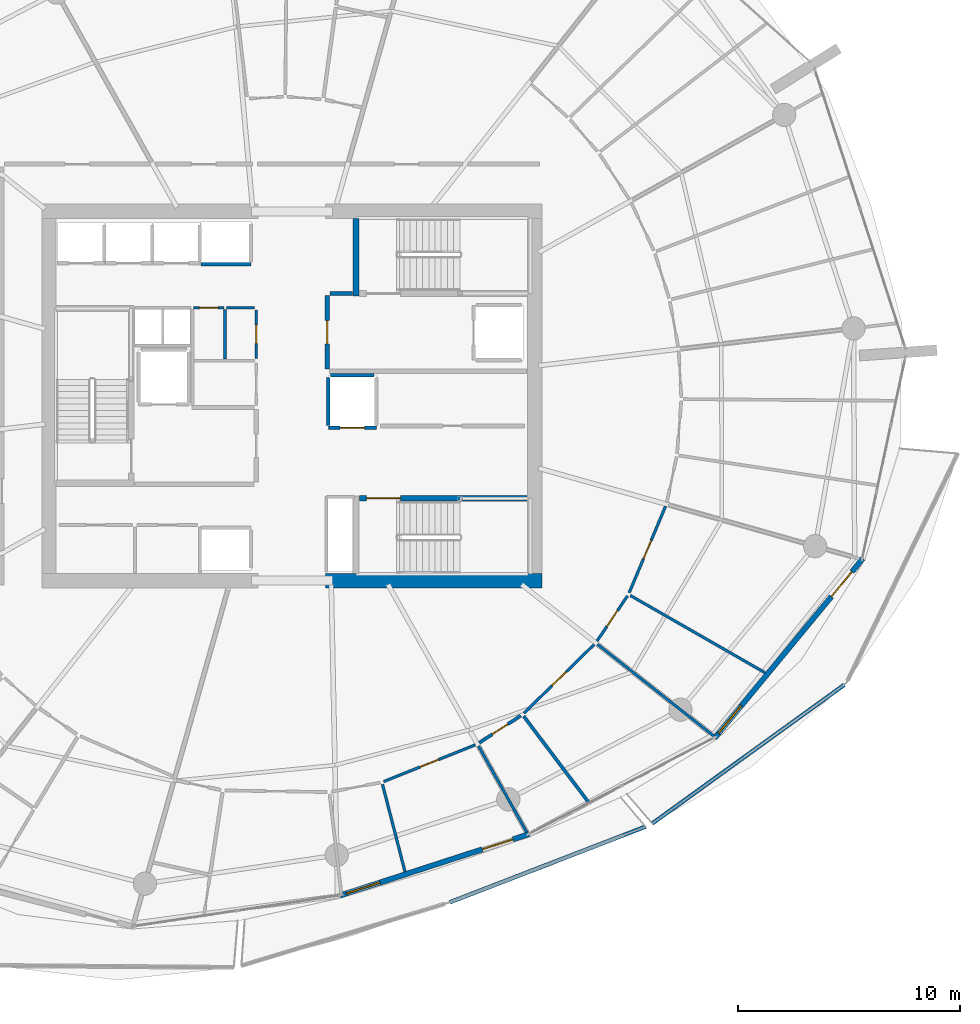
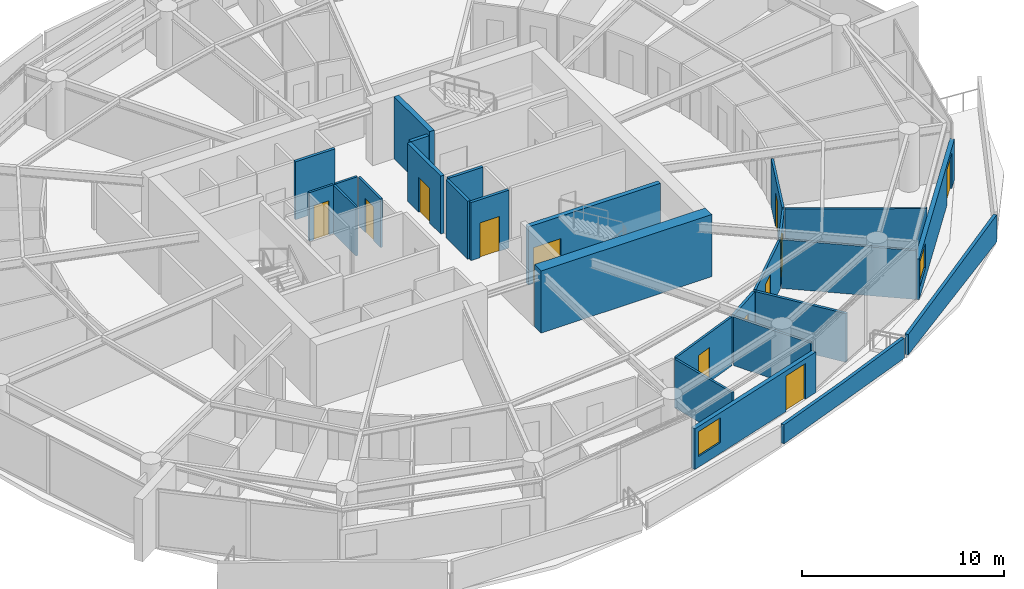
# One storey, part 13 of 21: 27 walls, 12 doors, 2 windows, 14 openings.
"""IFC4 building model written with IfcOpenShell, lengths in metres."""

from ifc_helpers import new_model, si_unit, direction, frame, frame_2d, origin, place, context, subcontext, project, spatial, polyline, rectangle, outline, extrude, material, layer, layer_set, type_object, element, fill, save


model = new_model("IFC4")

# Units and contexts
model_context = context("Model", 3, precision=1e-05, world=origin(), true_north=direction((0.0, 1.0)))
body_context = subcontext(model_context, "Body", "Model", "MODEL_VIEW")
ifc_project = project(units=[si_unit("LENGTHUNIT", "METRE"), si_unit("AREAUNIT", "SQUARE_METRE"), si_unit("VOLUMEUNIT", "CUBIC_METRE"), si_unit("PLANEANGLEUNIT", "RADIAN"), si_unit("MASSUNIT", "GRAM", prefix="KILO")], contexts=[model_context])

# Site, building, storey
site_placement = place(None, origin())
site = spatial("IfcSite", under=ifc_project, at=site_placement, CompositionType="ELEMENT")
building_placement = place(site_placement, origin())
building = spatial("IfcBuilding", under=site, at=building_placement, Name="Kazma Halo Residences", CompositionType="ELEMENT")
storey_placement = place(building_placement, frame((0.0, 0.0, 180.300048828125)))
storey = spatial("IfcBuildingStorey", under=building, at=storey_placement, Name="L45", CompositionType="ELEMENT", Elevation=180.300048828125)

# Walls
ifc_material_1 = material(Name="White Concrete C50/60 Balustrade", Category="concrete")
ifc_layer_1 = layer(ifc_material_1, 0.179931640625)
ifc_layer_set_1 = layer_set([ifc_layer_1], Name="White Concrete C50/60 Balustrade")
wall_type_1 = type_object("IfcWallType", Name="WL-BAL-WAVE-180", PredefinedType="PARAPET", material=ifc_layer_set_1)
wall_1_placement = place(storey_placement, frame((55.545166015625, 19.166259765625, 0.0), z_axis=(0.0, 0.0, 1.0), x_axis=(0.932733135956, 0.360567465378, 0.0)))
element("IfcWall", 1, at=wall_1_placement, inside=storey, type_object=wall_type_1, Name="L45 white wave balustrade wall SSE.2", PredefinedType="PARAPET", context=body_context, shape_type="SweptSolid", body=[
    extrude(outline(polyline([(0.0, 0.0), (9.47265625, 0.0), (9.47265625, 1.223876953125), (4.736328125, 1.126953125), (0.0, 1.14794921875), (0.0, 0.0)])), frame((0.0, 0.08984375, 0.0), z_axis=(0.0, -1.0, 0.0), x_axis=(1.0, 0.0, 0.0)), (0.0, 0.0, 1.0), 0.179931640625),
])
wall_2_placement = place(storey_placement, frame((64.672119140625, 22.71923828125, 0.0), z_axis=(0.0, 0.0, 1.0), x_axis=(0.810676817558, 0.585493891919, 0.0)))
element("IfcWall", 2, at=wall_2_placement, inside=storey, type_object=wall_type_1, Name="L45 white wave balustrade wall SE.1", PredefinedType="PARAPET", context=body_context, shape_type="SweptSolid", body=[
    extrude(outline(polyline([(0.0, 0.0), (10.681396484375, 0.0), (10.681396484375, 1.6318359375), (5.3408203125, 1.41796875), (0.0, 1.23291015625), (0.0, 0.0)])), frame((0.0, 0.08984375, 0.0), z_axis=(0.0, -1.0, 0.0), x_axis=(1.0, 0.0, 0.0)), (0.0, 0.0, 1.0), 0.179931640625),
])
ifc_material_2 = material(Name="Concrete C60/75", Category="concrete")
ifc_layer_2 = layer(ifc_material_2, 0.64990234375)
ifc_layer_set_2 = layer_set([ifc_layer_2], Name="Concrete C60/75")
wall_type_2 = type_object("IfcWallType", Name="WL-CORE-650", PredefinedType="SHEAR", material=ifc_layer_set_2)
wall_3_placement = place(storey_placement, frame((49.949951171875, 33.675048828125, 0.0), z_axis=(0.0, 0.0, 1.0), x_axis=(1.0, 0.0, 0.0)))
element("IfcWall", 3, at=wall_3_placement, inside=storey, type_object=wall_type_2, Name="L45 central core shear wall SE", PredefinedType="SHEAR", context=body_context, shape_type="SweptSolid", body=[
    extrude(rectangle(XDim=9.75, YDim=0.64990234375, at=frame_2d((4.875, 0.0))), origin(), (0.0, 0.0, 1.0), 3.75),
])
ifc_layer_3 = layer(ifc_material_2, 0.280029296875)
ifc_layer_set_3 = layer_set([ifc_layer_3], Name="Concrete C60/75")
wall_type_3 = type_object("IfcWallType", Name="WL-CORE-ST-280", PredefinedType="SHEAR", material=ifc_layer_set_3)
wall_4_placement = place(storey_placement, frame((51.31005859375, 46.5, 0.0), z_axis=(0.0, 0.0, 1.0), x_axis=(0.0, 1.0, 0.0)))
element("IfcWall", 4, at=wall_4_placement, inside=storey, type_object=wall_type_3, Name="L45 stairwell bearing wall ST02-W", PredefinedType="SHEAR", context=body_context, shape_type="SweptSolid", body=[
    extrude(rectangle(XDim=3.5, YDim=0.280029296875, at=frame_2d((1.75, 0.0))), origin(), (0.0, 0.0, 1.0), 3.75),
])

# Wall, openings, door, window
ifc_material_3 = material(Name="Insulated Pale-Metal Composite Wall")
ifc_layer_4 = layer(ifc_material_3, 0.239990234375)
ifc_layer_set_4 = layer_set([ifc_layer_4], Name="Insulated Pale-Metal Composite Wall")
wall_type_4 = type_object("IfcWallType", Name="WL-EXT-HOST-240", PredefinedType="SOLIDWALL", material=ifc_layer_set_4)
wall_5_placement = place(storey_placement, frame((50.61572265625, 19.481201171875, 0.0), z_axis=(0.0, 0.0, 1.0), x_axis=(0.951058543936, 0.309010753869, 0.0)))
wall_5 = element("IfcWall", 5, at=wall_5_placement, inside=storey, type_object=wall_type_4, Name="L45 exterior terrace-access wall B12", PredefinedType="SOLIDWALL", context=body_context, shape_type="SweptSolid", body=[
    extrude(rectangle(XDim=8.942138671875, YDim=0.239990234375, at=frame_2d((4.47119140625, 0.0))), origin(), (0.0, 0.0, 1.0), 2.449951171875),
])
opening_1_placement = place(wall_5_placement, frame((6.721923828125, 0.0, 0.0)))
opening_1 = element("IfcOpeningElement", 6, at=opening_1_placement, cuts=wall_5, Name="Opening DTR-1600", PredefinedType="OPENING", context=body_context, shape_type="SweptSolid", body=[
    extrude(rectangle(XDim=1.449951171875, YDim=2.14990234375, at=frame_2d((0.72509765625, 1.074951171875))), frame((0.0, 0.1298828125, 0.0), z_axis=(0.0, -1.0, 0.0), x_axis=(1.0, 0.0, 0.0)), (0.0, 0.0, 1.0), 0.260009765625),
])
opening_2_placement = place(wall_5_placement, frame((0.280029296875, 0.0, 0.64990234375)))
opening_2 = element("IfcOpeningElement", 7, at=opening_2_placement, cuts=wall_5, Name="Opening W-1800", PredefinedType="OPENING", context=body_context, shape_type="SweptSolid", body=[
    extrude(rectangle(XDim=1.60009765625, YDim=1.5, at=frame_2d((0.800048828125, 0.75))), frame((0.0, 0.1298828125, 0.0), z_axis=(0.0, -1.0, 0.0), x_axis=(1.0, 0.0, 0.0)), (0.0, 0.0, 1.0), 0.260009765625),
])
ifc_material_4 = material(Name="Aluminium AW-6063 T6 Double-Glazed Terrace Door", Category="aluminium")
door_type_1 = type_object("IfcDoorType", Name="DR-EXT-TERR-1600", OperationType="NOTDEFINED", PredefinedType="DOOR", material=ifc_material_4)
door_1_placement = place(opening_1_placement, origin())
door_1 = element("IfcDoor", 8, at=door_1_placement, inside=storey, type_object=door_type_1, Name="L45 B12 balcony terrace door", OperationType="DOUBLE_DOOR_SLIDING", OverallHeight=2.14990234375, OverallWidth=1.449951171875, PredefinedType="DOOR", context=body_context, shape_type="SweptSolid", body=[
    extrude(rectangle(XDim=1.449951171875, YDim=2.14990234375, at=frame_2d((0.72509765625, 1.074951171875))), frame((0.0, 0.02490234375, 0.0), z_axis=(0.0, -1.0, 0.0), x_axis=(1.0, 0.0, 0.0)), (0.0, 0.0, 1.0), 0.050048828125),
])
fill(opening_1, door_1)
ifc_material_5 = material(Name="Clear Triple-Silver Low-E Glass in Aluminium AW-6063 T6 Frame", Category="aluminium")
window_type = type_object("IfcWindowType", Name="WIN-RES-1800", PartitioningType="DOUBLE_PANEL_VERTICAL", PredefinedType="WINDOW", material=ifc_material_5)
window_1_placement = place(opening_2_placement, origin())
window_1 = element("IfcWindow", 9, at=window_1_placement, inside=storey, type_object=window_type, Name="L45 B12 apartment window", OverallHeight=1.5, OverallWidth=1.60009765625, PartitioningType="SINGLE_PANEL", PredefinedType="WINDOW", context=body_context, shape_type="SweptSolid", body=[
    extrude(rectangle(XDim=1.60009765625, YDim=1.5, at=frame_2d((0.800048828125, 0.75))), frame((0.0, 0.030029296875, 0.0), z_axis=(0.0, -1.0, 0.0), x_axis=(1.0, 0.0, 0.0)), (0.0, 0.0, 1.0), 0.06005859375),
])
fill(opening_2, window_1)

wall_6_placement = place(storey_placement, frame((67.485107421875, 26.57568359375, 0.0), z_axis=(0.0, 0.0, 1.0), x_axis=(0.636759394418, 0.771062561418, 0.0)))
wall_6 = element("IfcWall", 10, at=wall_6_placement, inside=storey, type_object=wall_type_4, Name="L45 exterior terrace-access wall B14", PredefinedType="SOLIDWALL", context=body_context, shape_type="SweptSolid", body=[
    extrude(rectangle(XDim=10.494384765625, YDim=0.239990234375, at=frame_2d((5.2470703125, 0.0))), origin(), (0.0, 0.0, 1.0), 2.449951171875),
])
opening_3_placement = place(wall_6_placement, frame((8.2744140625, 0.0, 0.0)))
opening_3 = element("IfcOpeningElement", 11, at=opening_3_placement, cuts=wall_6, Name="Opening DTR-1600", PredefinedType="OPENING", context=body_context, shape_type="SweptSolid", body=[
    extrude(rectangle(XDim=1.449951171875, YDim=2.14990234375, at=frame_2d((0.72509765625, 1.074951171875))), frame((0.0, 0.1298828125, 0.0), z_axis=(0.0, -1.0, 0.0), x_axis=(1.0, 0.0, 0.0)), (0.0, 0.0, 1.0), 0.260009765625),
])
opening_4_placement = place(wall_6_placement, frame((0.280029296875, 0.0, 0.64990234375)))
opening_4 = element("IfcOpeningElement", 12, at=opening_4_placement, cuts=wall_6, Name="Opening W-1800", PredefinedType="OPENING", context=body_context, shape_type="SweptSolid", body=[
    extrude(rectangle(XDim=1.60009765625, YDim=1.5, at=frame_2d((0.800048828125, 0.75))), frame((0.0, 0.1298828125, 0.0), z_axis=(0.0, -1.0, 0.0), x_axis=(1.0, 0.0, 0.0)), (0.0, 0.0, 1.0), 0.260009765625),
])
door_2_placement = place(opening_3_placement, origin())
door_2 = element("IfcDoor", 13, at=door_2_placement, inside=storey, type_object=door_type_1, Name="L45 B14 balcony terrace door", OperationType="DOUBLE_DOOR_SLIDING", OverallHeight=2.14990234375, OverallWidth=1.449951171875, PredefinedType="DOOR", context=body_context, shape_type="SweptSolid", body=[
    extrude(rectangle(XDim=1.449951171875, YDim=2.14990234375, at=frame_2d((0.72509765625, 1.074951171875))), frame((0.0, 0.02490234375, 0.0), z_axis=(0.0, -1.0, 0.0), x_axis=(1.0, 0.0, 0.0)), (0.0, 0.0, 1.0), 0.050048828125),
])
fill(opening_3, door_2)
window_2_placement = place(opening_4_placement, origin())
window_2 = element("IfcWindow", 14, at=window_2_placement, inside=storey, type_object=window_type, Name="L45 B14 apartment window", OverallHeight=1.5, OverallWidth=1.60009765625, PartitioningType="SINGLE_PANEL", PredefinedType="WINDOW", context=body_context, shape_type="SweptSolid", body=[
    extrude(rectangle(XDim=1.60009765625, YDim=1.5, at=frame_2d((0.800048828125, 0.75))), frame((0.0, 0.030029296875, 0.0), z_axis=(0.0, -1.0, 0.0), x_axis=(1.0, 0.0, 0.0)), (0.0, 0.0, 1.0), 0.06005859375),
])
fill(opening_4, window_2)

# Wall
ifc_material_6 = material(Name="Fire-Rated Blockwork Masonry", Category="masonry")
ifc_layer_5 = layer(ifc_material_6, 0.199951171875)
ifc_layer_set_5 = layer_set([ifc_layer_5], Name="Fire-Rated Blockwork Masonry")
wall_type_5 = type_object("IfcWallType", Name="WL-FLB-200", PredefinedType="PARTITIONING", material=ifc_layer_set_5)
wall_7_placement = place(storey_placement, frame((46.580078125, 47.945068359375, 0.0), z_axis=(0.0, 0.0, 1.0), x_axis=(-1.0, 0.0, 0.0)))
element("IfcWall", 15, at=wall_7_placement, inside=storey, type_object=wall_type_5, Name="L45 lift shaft PX-01 front wall", PredefinedType="PARTITIONING", context=body_context, shape_type="SweptSolid", body=[
    extrude(rectangle(XDim=2.260009765625, YDim=0.159912109375, at=frame_2d((1.1298828125, 0.0))), origin(), (0.0, 0.0, 1.0), 3.5),
])

# Wall, opening, door
wall_8_placement = place(storey_placement, frame((52.22998046875, 40.570068359375, 0.0), z_axis=(0.0, 0.0, 1.0), x_axis=(-1.0, 0.0, 0.0)))
wall_8 = element("IfcWall", 16, at=wall_8_placement, inside=storey, type_object=wall_type_5, Name="L45 lift shaft SV-01 front wall", PredefinedType="PARTITIONING", context=body_context, shape_type="SweptSolid", body=[
    extrude(rectangle(XDim=2.159912109375, YDim=0.159912109375, at=frame_2d((1.080078125, 0.0))), origin(), (0.0, 0.0, 1.0), 3.5),
])
opening_5_placement = place(wall_8_placement, frame((0.530029296875, 0.0, 0.0)))
opening_5 = element("IfcOpeningElement", 17, at=opening_5_placement, cuts=wall_8, Name="Opening LD-SV-01", PredefinedType="OPENING", context=body_context, shape_type="SweptSolid", body=[
    extrude(rectangle(XDim=1.10009765625, YDim=2.10009765625, at=frame_2d((0.550048828125, 1.050048828125))), frame((0.0, 0.08984375, 0.0), z_axis=(0.0, -1.0, 0.0), x_axis=(1.0, 0.0, 0.0)), (0.0, 0.0, 1.0), 0.179931640625),
])
ifc_material_7 = material(Name="Stainless Steel Fire-Rated", Category="steel")
door_type_2 = type_object("IfcDoorType", Name="DR-LIFT-SLD-1100", OperationType="DOUBLE_DOOR_SLIDING", PredefinedType="DOOR", material=ifc_material_7)
door_3_placement = place(opening_5_placement, origin())
door_3 = element("IfcDoor", 18, at=door_3_placement, inside=storey, type_object=door_type_2, Name="L45 lift SV-01 sliding landing door", OperationType="DOUBLE_DOOR_SLIDING", OverallHeight=2.10009765625, OverallWidth=1.10009765625, PredefinedType="DOOR", context=body_context, shape_type="SweptSolid", body=[
    extrude(rectangle(XDim=1.10009765625, YDim=2.10009765625, at=frame_2d((0.550048828125, 1.050048828125))), frame((0.0, 0.02490234375, 0.0), z_axis=(0.0, -1.0, 0.0), x_axis=(1.0, 0.0, 0.0)), (0.0, 0.0, 1.0), 0.050048828125),
])
fill(opening_5, door_3)

# Walls
wall_9_placement = place(storey_placement, frame((50.070068359375, 40.669921875, 0.0), z_axis=(0.0, 0.0, 1.0), x_axis=(0.0, 1.0, 0.0)))
element("IfcWall", 19, at=wall_9_placement, inside=storey, type_object=wall_type_5, Name="L45 lift shaft SV-01 side wall W", PredefinedType="PARTITIONING", context=body_context, shape_type="SweptSolid", body=[
    extrude(rectangle(XDim=2.16015625, YDim=0.159912109375, at=frame_2d((1.080078125, 0.0))), origin(), (0.0, 0.0, 1.0), 3.5),
])
wall_10_placement = place(storey_placement, frame((50.169921875, 42.929931640625, 0.0), z_axis=(0.0, 0.0, 1.0), x_axis=(1.0, 0.0, 0.0)))
element("IfcWall", 20, at=wall_10_placement, inside=storey, type_object=wall_type_5, Name="L45 lift shaft SV-01 side wall N", PredefinedType="PARTITIONING", context=body_context, shape_type="SweptSolid", body=[
    extrude(rectangle(XDim=1.9599609375, YDim=0.159912109375, at=frame_2d((0.97998046875, 0.0))), origin(), (0.0, 0.0, 1.0), 3.5),
])
wall_11_placement = place(storey_placement, frame((50.139892578125, 46.6201171875, 0.0), z_axis=(0.0, 0.0, 1.0), x_axis=(1.0, 0.0, 0.0)))
element("IfcWall", 21, at=wall_11_placement, inside=storey, type_object=wall_type_5, Name="L45 east firefighting lobby north closure wall", PredefinedType="PARTITIONING", context=body_context, shape_type="SweptSolid", body=[
    extrude(rectangle(XDim=1.02001953125, YDim=0.199951171875, at=frame_2d((0.510009765625, 0.0))), origin(), (0.0, 0.0, 1.0), 3.5),
])

# Wall, opening, door
wall_12_placement = place(storey_placement, frame((50.02001953125, 43.219970703125, 0.0), z_axis=(0.0, 0.0, 1.0), x_axis=(0.0, 1.0, 0.0)))
wall_12 = element("IfcWall", 22, at=wall_12_placement, inside=storey, type_object=wall_type_5, Name="L45 east firefighting lobby smoke wall", PredefinedType="PARTITIONING", context=body_context, shape_type="SweptSolid", body=[
    extrude(rectangle(XDim=3.300048828125, YDim=0.199951171875, at=frame_2d((1.64990234375, 0.0))), origin(), (0.0, 0.0, 1.0), 3.5),
])
opening_6_placement = place(wall_12_placement, frame((1.125, 0.0, 0.0)))
opening_6 = element("IfcOpeningElement", 23, at=opening_6_placement, cuts=wall_12, Name="Opening D-FLE", PredefinedType="OPENING", context=body_context, shape_type="SweptSolid", body=[
    extrude(rectangle(XDim=1.050048828125, YDim=2.10009765625, at=frame_2d((0.52490234375, 1.050048828125))), frame((0.0, 0.10986328125, 0.0), z_axis=(0.0, -1.0, 0.0), x_axis=(1.0, 0.0, 0.0)), (0.0, 0.0, 1.0), 0.219970703125),
])
ifc_material_8 = material(Name="Fire-Rated Steel Leaf", Category="steel")
door_type_3 = type_object("IfcDoorType", Name="DR-FD90-1050", OperationType="NOTDEFINED", PredefinedType="DOOR", material=ifc_material_8)
door_4_placement = place(opening_6_placement, origin())
door_4 = element("IfcDoor", 24, at=door_4_placement, inside=storey, type_object=door_type_3, Name="L45 east firefighting lobby smoke door", OperationType="SINGLE_SWING_LEFT", OverallHeight=2.10009765625, OverallWidth=1.050048828125, PredefinedType="DOOR", context=body_context, shape_type="SweptSolid", body=[
    extrude(rectangle(XDim=1.050048828125, YDim=2.10009765625, at=frame_2d((0.52490234375, 1.050048828125))), frame((0.0, 0.02490234375, 0.0), z_axis=(0.0, -1.0, 0.0), x_axis=(1.0, 0.0, 0.0)), (0.0, 0.0, 1.0), 0.050048828125),
])
fill(opening_6, door_4)

# Wall
ifc_material_9 = material(Name="Gypsum Plasterboard Partition")
ifc_layer_6 = layer(ifc_material_9, 0.125)
ifc_layer_set_6 = layer_set([ifc_layer_6], Name="Gypsum Plasterboard Partition")
wall_type_6 = type_object("IfcWallType", Name="WL-PART-125", PredefinedType="PARTITIONING", material=ifc_layer_set_6)
wall_13_placement = place(storey_placement, frame((45.409912109375, 43.669921875, 0.0), z_axis=(0.0, 0.0, 1.0), x_axis=(0.0, 1.0, 0.0)))
element("IfcWall", 25, at=wall_13_placement, inside=storey, type_object=wall_type_6, Name="L45 core service vert divider", PredefinedType="PARTITIONING", context=body_context, shape_type="SweptSolid", body=[
    extrude(rectangle(XDim=2.22998046875, YDim=0.125, at=frame_2d((1.114990234375, 0.0))), origin(), (0.0, 0.0, 1.0), 2.93994140625),
])

# Wall, opening, door
wall_14_placement = place(storey_placement, frame((46.820068359375, 43.68994140625, 0.0), z_axis=(0.0, 0.0, 1.0), x_axis=(0.0, 1.0, 0.0)))
wall_14 = element("IfcWall", 26, at=wall_14_placement, inside=storey, type_object=wall_type_6, Name="L45 sub-metering east wall", PredefinedType="PARTITIONING", context=body_context, shape_type="SweptSolid", body=[
    extrude(rectangle(XDim=2.18994140625, YDim=0.125, at=frame_2d((1.094970703125, 0.0))), origin(), (0.0, 0.0, 1.0), 2.93994140625),
])
opening_7_placement = place(wall_14_placement, frame((0.669921875, 0.0, 0.0)))
opening_7 = element("IfcOpeningElement", 27, at=opening_7_placement, cuts=wall_14, Name="Opening DS-850", PredefinedType="OPENING", context=body_context, shape_type="SweptSolid", body=[
    extrude(rectangle(XDim=0.85009765625, YDim=2.06005859375, at=frame_2d((0.425048828125, 1.030029296875))), frame((0.0, 0.072509765625, 0.0), z_axis=(0.0, -1.0, 0.0), x_axis=(1.0, 0.0, 0.0)), (0.0, 0.0, 1.0), 0.14501953125),
])
ifc_material_10 = material(Name="Painted Steel Access Leaf", Category="steel")
door_type_4 = type_object("IfcDoorType", Name="DR-SVC-850", OperationType="NOTDEFINED", PredefinedType="DOOR", material=ifc_material_10)
door_5_placement = place(opening_7_placement, origin())
door_5 = element("IfcDoor", 28, at=door_5_placement, inside=storey, type_object=door_type_4, Name="L45 sub-metering door", OperationType="SINGLE_SWING_LEFT", OverallHeight=2.06005859375, OverallWidth=0.85009765625, PredefinedType="DOOR", context=body_context, shape_type="SweptSolid", body=[
    extrude(rectangle(XDim=0.85009765625, YDim=2.06005859375, at=frame_2d((0.425048828125, 1.030029296875))), frame((0.0, 0.02490234375, 0.0), z_axis=(0.0, -1.0, 0.0), x_axis=(1.0, 0.0, 0.0)), (0.0, 0.0, 1.0), 0.050048828125),
])
fill(opening_7, door_5)

wall_15_placement = place(storey_placement, frame((43.989990234375, 45.97998046875, 0.0), z_axis=(0.0, 0.0, 1.0), x_axis=(1.0, 0.0, 0.0)))
wall_15 = element("IfcWall", 29, at=wall_15_placement, inside=storey, type_object=wall_type_6, Name="L45 cleaners cupboard north wall", PredefinedType="PARTITIONING", context=body_context, shape_type="SweptSolid", body=[
    extrude(rectangle(XDim=1.380126953125, YDim=0.125, at=frame_2d((0.68994140625, 0.0))), origin(), (0.0, 0.0, 1.0), 2.93994140625),
])
opening_8_placement = place(wall_15_placement, frame((0.264892578125, 0.0, 0.0)))
opening_8 = element("IfcOpeningElement", 30, at=opening_8_placement, cuts=wall_15, Name="Opening DS-850", PredefinedType="OPENING", context=body_context, shape_type="SweptSolid", body=[
    extrude(rectangle(XDim=0.85009765625, YDim=2.06005859375, at=frame_2d((0.425048828125, 1.030029296875))), frame((0.0, 0.072509765625, 0.0), z_axis=(0.0, -1.0, 0.0), x_axis=(1.0, 0.0, 0.0)), (0.0, 0.0, 1.0), 0.14501953125),
])
door_6_placement = place(opening_8_placement, origin())
door_6 = element("IfcDoor", 31, at=door_6_placement, inside=storey, type_object=door_type_4, Name="L45 cleaners cupboard door", OperationType="SINGLE_SWING_RIGHT", OverallHeight=2.06005859375, OverallWidth=0.85009765625, PredefinedType="DOOR", context=body_context, shape_type="SweptSolid", body=[
    extrude(rectangle(XDim=0.85009765625, YDim=2.06005859375, at=frame_2d((0.425048828125, 1.030029296875))), frame((0.0, 0.02490234375, 0.0), z_axis=(0.0, -1.0, 0.0), x_axis=(1.0, 0.0, 0.0)), (0.0, 0.0, 1.0), 0.050048828125),
])
fill(opening_8, door_6)

# Walls
wall_16_placement = place(storey_placement, frame((45.47998046875, 45.97998046875, 0.0), z_axis=(0.0, 0.0, 1.0), x_axis=(1.0, 0.0, 0.0)))
element("IfcWall", 32, at=wall_16_placement, inside=storey, type_object=wall_type_6, Name="L45 sub-metering north wall", PredefinedType="PARTITIONING", context=body_context, shape_type="SweptSolid", body=[
    extrude(rectangle(XDim=1.260009765625, YDim=0.125, at=frame_2d((0.6298828125, 0.0))), origin(), (0.0, 0.0, 1.0), 2.93994140625),
])
wall_17_placement = place(storey_placement, frame((52.509521484375, 24.494384765625, 0.0), z_axis=(0.0, 0.0, 1.0), x_axis=(0.249438502074, -0.968390641055, 0.0)))
element("IfcWall", 33, at=wall_17_placement, inside=storey, type_object=wall_type_6, Name="L45 Apartment 4 mid-bay wall 11", PredefinedType="PARTITIONING", context=body_context, shape_type="SweptSolid", body=[
    extrude(rectangle(XDim=4.065673828125, YDim=0.125, at=frame_2d((2.03271484375, 0.0))), origin(), (0.0, 0.0, 1.0), 2.93994140625),
])

# Wall, opening, door
wall_18_placement = place(storey_placement, frame((52.561279296875, 24.611328125, 0.0), z_axis=(0.0, 0.0, 1.0), x_axis=(0.92816265329, 0.372174809784, 0.0)))
wall_18 = element("IfcWall", 34, at=wall_18_placement, inside=storey, type_object=wall_type_6, Name="L45 Apartment 4 Secondary Bedroom hall wall", PredefinedType="PARTITIONING", context=body_context, shape_type="SweptSolid", body=[
    extrude(rectangle(XDim=4.454833984375, YDim=0.125, at=frame_2d((2.2275390625, 0.0))), origin(), (0.0, 0.0, 1.0), 2.93994140625),
])
opening_9_placement = place(wall_18_placement, frame((1.77734375, 0.0, 0.0)))
opening_9 = element("IfcOpeningElement", 35, at=opening_9_placement, cuts=wall_18, Name="Opening DI-950", PredefinedType="OPENING", context=body_context, shape_type="SweptSolid", body=[
    extrude(rectangle(XDim=0.89990234375, YDim=2.080078125, at=frame_2d((0.449951171875, 1.0400390625))), frame((0.0, 0.072509765625, 0.0), z_axis=(0.0, -1.0, 0.0), x_axis=(1.0, 0.0, 0.0)), (0.0, 0.0, 1.0), 0.14501953125),
])
ifc_material_11 = material(Name="Timber Veneer Flush Leaf", Category="wood")
door_type_5 = type_object("IfcDoorType", Name="DR-INT-950", OperationType="NOTDEFINED", PredefinedType="DOOR", material=ifc_material_11)
door_7_placement = place(opening_9_placement, origin())
door_7 = element("IfcDoor", 36, at=door_7_placement, inside=storey, type_object=door_type_5, Name="L45 Apartment 4 Secondary Bedroom door", OperationType="SINGLE_SWING_RIGHT", OverallHeight=2.080078125, OverallWidth=0.89990234375, PredefinedType="DOOR", context=body_context, shape_type="SweptSolid", body=[
    extrude(rectangle(XDim=0.89990234375, YDim=2.080078125, at=frame_2d((0.449951171875, 1.0400390625))), frame((0.0, 0.02490234375, 0.0), z_axis=(0.0, -1.0, 0.0), x_axis=(1.0, 0.0, 0.0)), (0.0, 0.0, 1.0), 0.050048828125),
])
fill(opening_9, door_7)

# Wall
wall_19_placement = place(storey_placement, frame((56.837646484375, 26.21923828125, 0.0), z_axis=(0.0, 0.0, 1.0), x_axis=(0.488608382443, -0.872503208365, 0.0)))
element("IfcWall", 37, at=wall_19_placement, inside=storey, type_object=wall_type_6, Name="L45 Apartment 4 radial partition 12", PredefinedType="PARTITIONING", context=body_context, shape_type="SweptSolid", body=[
    extrude(rectangle(XDim=4.448486328125, YDim=0.125, at=frame_2d((2.22412109375, 0.0))), origin(), (0.0, 0.0, 1.0), 2.93994140625),
])

# Wall, opening, door
wall_20_placement = place(storey_placement, frame((58.88671875, 27.696044921875, 0.0), z_axis=(0.0, 0.0, 1.0), x_axis=(0.714833426799, 0.699294767556, 0.0)))
wall_20 = element("IfcWall", 38, at=wall_20_placement, inside=storey, type_object=wall_type_6, Name="L45 Apartment 4 West Master Bedroom hall wall", PredefinedType="PARTITIONING", context=body_context, shape_type="SweptSolid", body=[
    extrude(rectangle(XDim=4.4306640625, YDim=0.125, at=frame_2d((2.21533203125, 0.0))), origin(), (0.0, 0.0, 1.0), 2.93994140625),
])
opening_10_placement = place(wall_20_placement, frame((1.765380859375, 0.0, 0.0)))
opening_10 = element("IfcOpeningElement", 39, at=opening_10_placement, cuts=wall_20, Name="Opening DI-950", PredefinedType="OPENING", context=body_context, shape_type="SweptSolid", body=[
    extrude(rectangle(XDim=0.89990234375, YDim=2.080078125, at=frame_2d((0.449951171875, 1.0400390625))), frame((0.0, 0.072509765625, 0.0), z_axis=(0.0, -1.0, 0.0), x_axis=(1.0, 0.0, 0.0)), (0.0, 0.0, 1.0), 0.14501953125),
])
door_8_placement = place(opening_10_placement, origin())
door_8 = element("IfcDoor", 40, at=door_8_placement, inside=storey, type_object=door_type_5, Name="L45 Apartment 4 West Master Bedroom door", OperationType="SINGLE_SWING_RIGHT", OverallHeight=2.080078125, OverallWidth=0.89990234375, PredefinedType="DOOR", context=body_context, shape_type="SweptSolid", body=[
    extrude(rectangle(XDim=0.89990234375, YDim=2.080078125, at=frame_2d((0.449951171875, 1.0400390625))), frame((0.0, 0.02490234375, 0.0), z_axis=(0.0, -1.0, 0.0), x_axis=(1.0, 0.0, 0.0)), (0.0, 0.0, 1.0), 0.050048828125),
])
fill(opening_10, door_8)

# Walls
wall_21_placement = place(storey_placement, frame((62.2041015625, 30.802490234375, 0.0), z_axis=(0.0, 0.0, 1.0), x_axis=(0.785315561472, -0.619095686393, 0.0)))
element("IfcWall", 41, at=wall_21_placement, inside=storey, type_object=wall_type_6, Name="L45 Apartment 4 radial partition 13", PredefinedType="PARTITIONING", context=body_context, shape_type="SweptSolid", body=[
    extrude(rectangle(XDim=6.740234375, YDim=0.125, at=frame_2d((3.3701171875, 0.0))), origin(), (0.0, 0.0, 1.0), 2.93994140625),
])
wall_22_placement = place(storey_placement, frame((63.68115234375, 33.006591796875, 0.0), z_axis=(0.0, 0.0, 1.0), x_axis=(0.867459238173, -0.497508261347, 0.0)))
element("IfcWall", 42, at=wall_22_placement, inside=storey, type_object=wall_type_6, Name="L45 Apartment 4 mid-bay wall 13", PredefinedType="PARTITIONING", context=body_context, shape_type="SweptSolid", body=[
    extrude(rectangle(XDim=7.005126953125, YDim=0.125, at=frame_2d((3.50244140625, 0.0))), origin(), (0.0, 0.0, 1.0), 2.93994140625),
])

# Wall, opening, door
wall_23_placement = place(storey_placement, frame((62.181396484375, 30.947265625, 0.0), z_axis=(0.0, 0.0, 1.0), x_axis=(0.559798463615, 0.82862879514, 0.0)))
wall_23 = element("IfcWall", 43, at=wall_23_placement, inside=storey, type_object=wall_type_6, Name="L45 Apartment 4 North Bedroom hall wall", PredefinedType="PARTITIONING", context=body_context, shape_type="SweptSolid", body=[
    extrude(rectangle(XDim=2.459228515625, YDim=0.125, at=frame_2d((1.2294921875, 0.0))), origin(), (0.0, 0.0, 1.0), 2.93994140625),
])
opening_11_placement = place(wall_23_placement, frame((0.8046875, 0.0, 0.0)))
opening_11 = element("IfcOpeningElement", 44, at=opening_11_placement, cuts=wall_23, Name="Opening DB-900", PredefinedType="OPENING", context=body_context, shape_type="SweptSolid", body=[
    extrude(rectangle(XDim=0.85009765625, YDim=2.06005859375, at=frame_2d((0.425048828125, 1.030029296875))), frame((0.0, 0.072509765625, 0.0), z_axis=(0.0, -1.0, 0.0), x_axis=(1.0, 0.0, 0.0)), (0.0, 0.0, 1.0), 0.14501953125),
])
ifc_material_12 = material(Name="Moisture-Sealed Timber Leaf", Category="wood")
door_type_6 = type_object("IfcDoorType", Name="DR-BTH-900", OperationType="NOTDEFINED", PredefinedType="DOOR", material=ifc_material_12)
door_9_placement = place(opening_11_placement, origin())
door_9 = element("IfcDoor", 45, at=door_9_placement, inside=storey, type_object=door_type_6, Name="L45 Apartment 4 North Bedroom door", OperationType="SINGLE_SWING_LEFT", OverallHeight=2.06005859375, OverallWidth=0.85009765625, PredefinedType="DOOR", context=body_context, shape_type="SweptSolid", body=[
    extrude(rectangle(XDim=0.85009765625, YDim=2.06005859375, at=frame_2d((0.425048828125, 1.030029296875))), frame((0.0, 0.02490234375, 0.0), z_axis=(0.0, -1.0, 0.0), x_axis=(1.0, 0.0, 0.0)), (0.0, 0.0, 1.0), 0.050048828125),
])
fill(opening_11, door_9)

wall_24_placement = place(storey_placement, frame((63.634033203125, 33.125244140625, 0.0), z_axis=(0.0, 0.0, 1.0), x_axis=(0.387404173838, 0.921909977217, 0.0)))
wall_24 = element("IfcWall", 46, at=wall_24_placement, inside=storey, type_object=wall_type_6, Name="L45 Apartment 4 South Master Bedroom hall wall", PredefinedType="PARTITIONING", context=body_context, shape_type="SweptSolid", body=[
    extrude(rectangle(XDim=4.23046875, YDim=0.125, at=frame_2d((2.115234375, 0.0))), origin(), (0.0, 0.0, 1.0), 2.93994140625),
])
opening_12_placement = place(wall_24_placement, frame((1.665283203125, 0.0, 0.0)))
opening_12 = element("IfcOpeningElement", 47, at=opening_12_placement, cuts=wall_24, Name="Opening DI-950", PredefinedType="OPENING", context=body_context, shape_type="SweptSolid", body=[
    extrude(rectangle(XDim=0.89990234375, YDim=2.080078125, at=frame_2d((0.449951171875, 1.0400390625))), frame((0.0, 0.072509765625, 0.0), z_axis=(0.0, -1.0, 0.0), x_axis=(1.0, 0.0, 0.0)), (0.0, 0.0, 1.0), 0.14501953125),
])
door_10_placement = place(opening_12_placement, origin())
door_10 = element("IfcDoor", 48, at=door_10_placement, inside=storey, type_object=door_type_5, Name="L45 Apartment 4 South Master Bedroom door", OperationType="SINGLE_SWING_RIGHT", OverallHeight=2.080078125, OverallWidth=0.89990234375, PredefinedType="DOOR", context=body_context, shape_type="SweptSolid", body=[
    extrude(rectangle(XDim=0.89990234375, YDim=2.080078125, at=frame_2d((0.449951171875, 1.0400390625))), frame((0.0, 0.02490234375, 0.0), z_axis=(0.0, -1.0, 0.0), x_axis=(1.0, 0.0, 0.0)), (0.0, 0.0, 1.0), 0.050048828125),
])
fill(opening_12, door_10)

ifc_material_13 = material(Name="Concrete C50/60", Category="concrete")
ifc_layer_7 = layer(ifc_material_13, 0.25)
ifc_layer_set_7 = layer_set([ifc_layer_7], Name="Concrete C50/60")
wall_type_7 = type_object("IfcWallType", Name="WL-SHF-250", PredefinedType="SOLIDWALL", material=ifc_layer_set_7)
wall_25_placement = place(storey_placement, frame((51.47998046875, 37.3798828125, 0.0), z_axis=(0.0, 0.0, 1.0), x_axis=(1.0, 0.0, 0.0)))
wall_25 = element("IfcWall", 49, at=wall_25_placement, inside=storey, type_object=wall_type_7, Name="L45 exit stair ST-03 enclosure wall", PredefinedType="SOLIDWALL", context=body_context, shape_type="SweptSolid", body=[
    extrude(rectangle(XDim=7.5400390625, YDim=0.25, at=frame_2d((3.77001953125, 0.0))), origin(), (0.0, 0.0, 1.0), 3.5),
])
opening_13_placement = place(wall_25_placement, frame((0.300048828125, 0.0, 0.0)))
opening_13 = element("IfcOpeningElement", 50, at=opening_13_placement, cuts=wall_25, Name="Opening D-ST3", PredefinedType="OPENING", context=body_context, shape_type="SweptSolid", body=[
    extrude(rectangle(XDim=1.550048828125, YDim=2.14990234375, at=frame_2d((0.77490234375, 1.074951171875))), frame((0.0, 0.135009765625, 0.0), z_axis=(0.0, -1.0, 0.0), x_axis=(1.0, 0.0, 0.0)), (0.0, 0.0, 1.0), 0.27001953125),
])
ifc_material_14 = material(Name="Fire-Rated Double Steel Leaf", Category="steel")
door_type_7 = type_object("IfcDoorType", Name="DR-FD90-1550", OperationType="NOTDEFINED", PredefinedType="DOOR", material=ifc_material_14)
door_11_placement = place(opening_13_placement, origin())
door_11 = element("IfcDoor", 51, at=door_11_placement, inside=storey, type_object=door_type_7, Name="L45 exit stair ST-03 fire door", OperationType="DOUBLE_DOOR_SINGLE_SWING", OverallHeight=2.14990234375, OverallWidth=1.550048828125, PredefinedType="DOOR", context=body_context, shape_type="SweptSolid", body=[
    extrude(rectangle(XDim=1.550048828125, YDim=2.14990234375, at=frame_2d((0.77490234375, 1.074951171875))), frame((0.0, 0.02490234375, 0.0), z_axis=(0.0, -1.0, 0.0), x_axis=(1.0, 0.0, 0.0)), (0.0, 0.0, 1.0), 0.050048828125),
])
fill(opening_13, door_11)

ifc_material_15 = material(Name="Moisture-Resistant Gypsum")
ifc_layer_8 = layer(ifc_material_15, 0.14990234375)
ifc_layer_set_8 = layer_set([ifc_layer_8], Name="Moisture-Resistant Gypsum")
wall_type_8 = type_object("IfcWallType", Name="WL-WET-150", PredefinedType="PARTITIONING", material=ifc_layer_set_8)
wall_26_placement = place(storey_placement, frame((56.87255859375, 26.361083984375, 0.0), z_axis=(0.0, 0.0, 1.0), x_axis=(0.837497725381, 0.54644081105, 0.0)))
wall_26 = element("IfcWall", 52, at=wall_26_placement, inside=storey, type_object=wall_type_8, Name="L45 Apartment 4 East En-Suite Bathroom hall wall", PredefinedType="PARTITIONING", context=body_context, shape_type="SweptSolid", body=[
    extrude(rectangle(XDim=2.238037109375, YDim=0.14990234375, at=frame_2d((1.119140625, 0.0))), origin(), (0.0, 0.0, 1.0), 2.93994140625),
])
opening_14_placement = place(wall_26_placement, frame((0.694091796875, 0.0, 0.0)))
opening_14 = element("IfcOpeningElement", 53, at=opening_14_placement, cuts=wall_26, Name="Opening DB-900", PredefinedType="OPENING", context=body_context, shape_type="SweptSolid", body=[
    extrude(rectangle(XDim=0.85009765625, YDim=2.06005859375, at=frame_2d((0.425048828125, 1.030029296875))), frame((0.0, 0.0849609375, 0.0), z_axis=(0.0, -1.0, 0.0), x_axis=(1.0, 0.0, 0.0)), (0.0, 0.0, 1.0), 0.169921875),
])
door_12_placement = place(opening_14_placement, origin())
door_12 = element("IfcDoor", 54, at=door_12_placement, inside=storey, type_object=door_type_6, Name="L45 Apartment 4 East En-Suite Bathroom door", OperationType="SINGLE_SWING_RIGHT", OverallHeight=2.06005859375, OverallWidth=0.85009765625, PredefinedType="DOOR", context=body_context, shape_type="SweptSolid", body=[
    extrude(rectangle(XDim=0.85009765625, YDim=2.06005859375, at=frame_2d((0.425048828125, 1.030029296875))), frame((0.0, 0.02490234375, 0.0), z_axis=(0.0, -1.0, 0.0), x_axis=(1.0, 0.0, 0.0)), (0.0, 0.0, 1.0), 0.050048828125),
])
fill(opening_14, door_12)

# Wall
wall_27_placement = place(storey_placement, frame((58.87646484375, 27.561279296875, 0.0), z_axis=(0.0, 0.0, 1.0), x_axis=(0.601652635262, -0.798757852219, 0.0)))
element("IfcWall", 55, at=wall_27_placement, inside=storey, type_object=wall_type_8, Name="L45 Apartment 4 East En-Suite Bathroom side wall", PredefinedType="PARTITIONING", context=body_context, shape_type="SweptSolid", body=[
    extrude(rectangle(XDim=4.865234375, YDim=0.14990234375, at=frame_2d((2.4326171875, 0.0))), origin(), (0.0, 0.0, 1.0), 2.93994140625),
])

save(model, "model.ifc")
